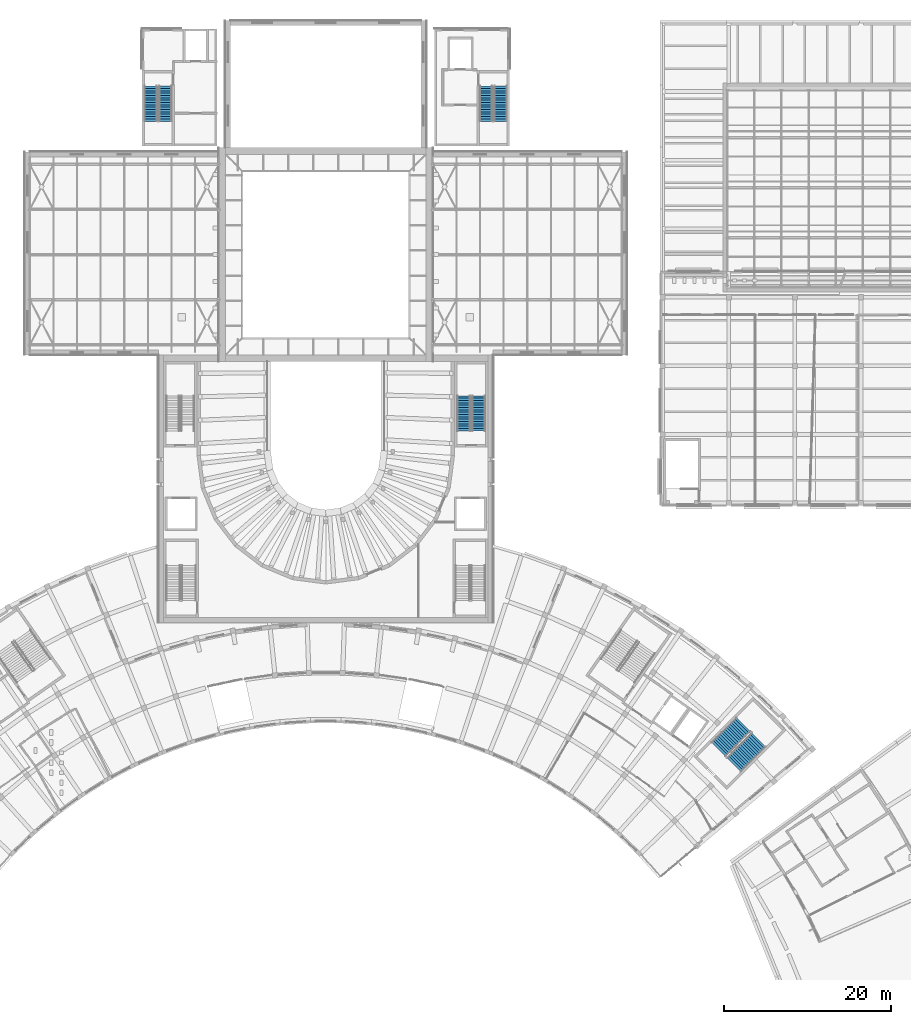
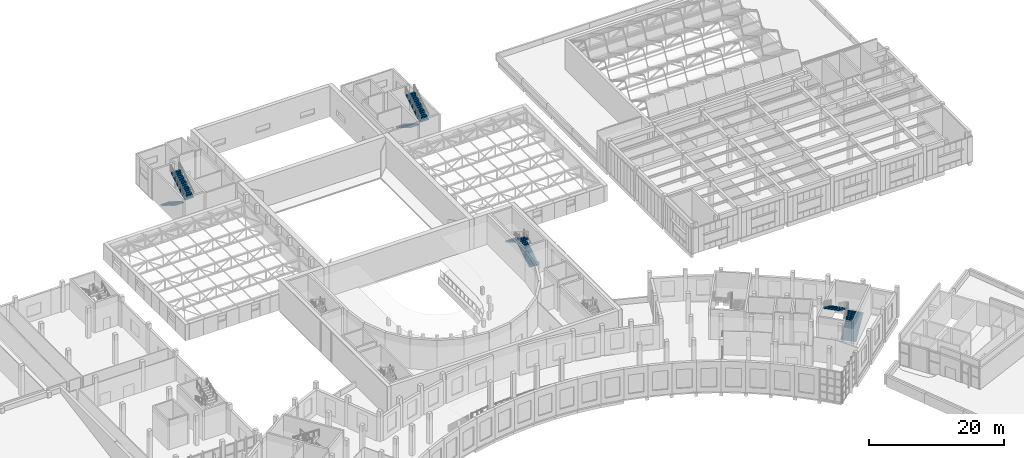
# One storey, part 84 of 132: 8 stair flights, 4 elements without a shape of their own.
"""IFC4 building model written with IfcOpenShell, lengths in metres."""

from ifc_helpers import new_model, si_unit, direction, frame, origin, place, context, subcontext, project, spatial, polyline, outline, extrude, material, type_object, element, aggregate, save


model = new_model("IFC4")

# Units and contexts
model_context = context("Model", 3, precision=1e-05, world=origin(), true_north=direction((0.0, 1.0)))
body_context = subcontext(model_context, "Body", "Model", "MODEL_VIEW")
ifc_project = project(units=[si_unit("LENGTHUNIT", "METRE"), si_unit("AREAUNIT", "SQUARE_METRE"), si_unit("VOLUMEUNIT", "CUBIC_METRE"), si_unit("PLANEANGLEUNIT", "RADIAN"), si_unit("MASSUNIT", "GRAM", prefix="KILO")], contexts=[model_context])

# Site, building, storey
site_placement = place(None, origin())
site = spatial("IfcSite", under=ifc_project, at=site_placement, CompositionType="ELEMENT")
building_placement = place(site_placement, origin())
building = spatial("IfcBuilding", under=site, at=building_placement, Name="Lunette Opera House", CompositionType="ELEMENT")
storey_placement = place(building_placement, frame((0.0, 0.0, 17.0)))
storey = spatial("IfcBuildingStorey", under=building, at=storey_placement, Name="L03", CompositionType="ELEMENT", Elevation=17.0)

# Stair, stair flights
ifc_material_1 = material(Name="Concrete C35/45", Category="concrete")
stair_type_1 = type_object("IfcStairType", Name="DOGLEG STAIR 1550", PredefinedType="HALF_TURN_STAIR", material=ifc_material_1)
stair_1_placement = place(storey_placement, origin())
stair_1 = element("IfcStair", 1, at=stair_1_placement, inside=storey, type_object=stair_type_1, Name="L03 stair ST11", PredefinedType="HALF_TURN_STAIR")
ifc_material_2 = material(Name="Concrete C35/45", Category="concrete")
stair_flight_type_1 = type_object("IfcStairFlightType", Name="STRAIGHT STAIR FLIGHT 1550", PredefinedType="STRAIGHT", material=ifc_material_2)
stair_flight_1_placement = place(storey_placement, frame((75.074951171875, 128.14990234375, 0.0), z_axis=(0.0, 0.0, 1.0), x_axis=(0.0, -1.0, 0.0)))
stair_flight_1 = element("IfcStairFlight", 2, at=stair_flight_1_placement, type_object=stair_flight_type_1, Name="ST11 flight 1", NumberOfRisers=16, NumberOfTreads=15, PredefinedType="STRAIGHT", RiserHeight=0.171875, TreadLength=0.28, context=body_context, shape_type="SweptSolid", body=[
    extrude(outline(polyline([(0.0, 0.0), (0.0, 0.171875), (0.280029296875, 0.171875), (0.280029296875, 0.34375), (0.56005859375, 0.34375), (0.56005859375, 0.515625), (0.840087890625, 0.515625), (0.840087890625, 0.6875), (1.1201171875, 0.6875), (1.1201171875, 0.859375), (1.39990234375, 0.859375), (1.39990234375, 1.03125), (1.679931640625, 1.03125), (1.679931640625, 1.203125), (1.9599609375, 1.203125), (1.9599609375, 1.375), (2.239990234375, 1.375), (2.239990234375, 1.546875), (2.52001953125, 1.546875), (2.52001953125, 1.71875), (2.800048828125, 1.71875), (2.800048828125, 1.890625), (3.080078125, 1.890625), (3.080078125, 2.0625), (3.360107421875, 2.0625), (3.360107421875, 2.234375), (3.639892578125, 2.234375), (3.639892578125, 2.40625), (3.919921875, 2.40625), (3.919921875, 2.578125), (4.199951171875, 2.578125), (4.199951171875, 2.75), (4.199951171875, 2.40234375), (0.28662109375, 0.0), (0.0, 0.0)])), frame((0.0, 0.77490234375, 0.0), z_axis=(0.0, -1.0, 0.0), x_axis=(1.0, 0.0, 0.0)), (0.0, 0.0, 1.0), 1.550048828125),
])
stair_flight_2_placement = place(storey_placement, frame((76.824951171875, 123.949951171875, 2.75), z_axis=(0.0, 0.0, 1.0), x_axis=(0.0, 1.0, 0.0)))
stair_flight_2 = element("IfcStairFlight", 3, at=stair_flight_2_placement, type_object=stair_flight_type_1, Name="ST11 flight 2", NumberOfRisers=16, NumberOfTreads=15, PredefinedType="STRAIGHT", RiserHeight=0.171875, TreadLength=0.28, context=body_context, shape_type="SweptSolid", body=[
    extrude(outline(polyline([(0.0, 0.0), (0.0, 0.171875), (0.280029296875, 0.171875), (0.280029296875, 0.34375), (0.56005859375, 0.34375), (0.56005859375, 0.515625), (0.840087890625, 0.515625), (0.840087890625, 0.6875), (1.1201171875, 0.6875), (1.1201171875, 0.859375), (1.39990234375, 0.859375), (1.39990234375, 1.03125), (1.679931640625, 1.03125), (1.679931640625, 1.203125), (1.9599609375, 1.203125), (1.9599609375, 1.375), (2.239990234375, 1.375), (2.239990234375, 1.546875), (2.52001953125, 1.546875), (2.52001953125, 1.71875), (2.800048828125, 1.71875), (2.800048828125, 1.890625), (3.080078125, 1.890625), (3.080078125, 2.0625), (3.360107421875, 2.0625), (3.360107421875, 2.234375), (3.639892578125, 2.234375), (3.639892578125, 2.40625), (3.919921875, 2.40625), (3.919921875, 2.578125), (4.199951171875, 2.578125), (4.199951171875, 2.75), (4.199951171875, 2.40234375), (0.28662109375, 0.0), (0.0, 0.0)])), frame((0.0, 0.77490234375, 0.0), z_axis=(0.0, -1.0, 0.0), x_axis=(1.0, 0.0, 0.0)), (0.0, 0.0, 1.0), 1.550048828125),
])
aggregate(stair_1, [stair_flight_1, stair_flight_2])

stair_2_placement = place(storey_placement, origin())
stair_2 = element("IfcStair", 4, at=stair_2_placement, inside=storey, type_object=stair_type_1, Name="L03 stair ST12", PredefinedType="HALF_TURN_STAIR")
stair_flight_3_placement = place(storey_placement, frame((115.175048828125, 128.14990234375, 0.0), z_axis=(0.0, 0.0, 1.0), x_axis=(0.0, -1.0, 0.0)))
stair_flight_3 = element("IfcStairFlight", 5, at=stair_flight_3_placement, type_object=stair_flight_type_1, Name="ST12 flight 1", NumberOfRisers=16, NumberOfTreads=15, PredefinedType="STRAIGHT", RiserHeight=0.171875, TreadLength=0.28, context=body_context, shape_type="SweptSolid", body=[
    extrude(outline(polyline([(0.0, 0.0), (0.0, 0.171875), (0.280029296875, 0.171875), (0.280029296875, 0.34375), (0.56005859375, 0.34375), (0.56005859375, 0.515625), (0.840087890625, 0.515625), (0.840087890625, 0.6875), (1.1201171875, 0.6875), (1.1201171875, 0.859375), (1.39990234375, 0.859375), (1.39990234375, 1.03125), (1.679931640625, 1.03125), (1.679931640625, 1.203125), (1.9599609375, 1.203125), (1.9599609375, 1.375), (2.239990234375, 1.375), (2.239990234375, 1.546875), (2.52001953125, 1.546875), (2.52001953125, 1.71875), (2.800048828125, 1.71875), (2.800048828125, 1.890625), (3.080078125, 1.890625), (3.080078125, 2.0625), (3.360107421875, 2.0625), (3.360107421875, 2.234375), (3.639892578125, 2.234375), (3.639892578125, 2.40625), (3.919921875, 2.40625), (3.919921875, 2.578125), (4.199951171875, 2.578125), (4.199951171875, 2.75), (4.199951171875, 2.40234375), (0.28662109375, 0.0), (0.0, 0.0)])), frame((0.0, 0.77490234375, 0.0), z_axis=(0.0, -1.0, 0.0), x_axis=(1.0, 0.0, 0.0)), (0.0, 0.0, 1.0), 1.550048828125),
])
stair_flight_4_placement = place(storey_placement, frame((116.925048828125, 123.949951171875, 2.75), z_axis=(0.0, 0.0, 1.0), x_axis=(0.0, 1.0, 0.0)))
stair_flight_4 = element("IfcStairFlight", 6, at=stair_flight_4_placement, type_object=stair_flight_type_1, Name="ST12 flight 2", NumberOfRisers=16, NumberOfTreads=15, PredefinedType="STRAIGHT", RiserHeight=0.171875, TreadLength=0.28, context=body_context, shape_type="SweptSolid", body=[
    extrude(outline(polyline([(0.0, 0.0), (0.0, 0.171875), (0.280029296875, 0.171875), (0.280029296875, 0.34375), (0.56005859375, 0.34375), (0.56005859375, 0.515625), (0.840087890625, 0.515625), (0.840087890625, 0.6875), (1.1201171875, 0.6875), (1.1201171875, 0.859375), (1.39990234375, 0.859375), (1.39990234375, 1.03125), (1.679931640625, 1.03125), (1.679931640625, 1.203125), (1.9599609375, 1.203125), (1.9599609375, 1.375), (2.239990234375, 1.375), (2.239990234375, 1.546875), (2.52001953125, 1.546875), (2.52001953125, 1.71875), (2.800048828125, 1.71875), (2.800048828125, 1.890625), (3.080078125, 1.890625), (3.080078125, 2.0625), (3.360107421875, 2.0625), (3.360107421875, 2.234375), (3.639892578125, 2.234375), (3.639892578125, 2.40625), (3.919921875, 2.40625), (3.919921875, 2.578125), (4.199951171875, 2.578125), (4.199951171875, 2.75), (4.199951171875, 2.40234375), (0.28662109375, 0.0), (0.0, 0.0)])), frame((0.0, 0.77490234375, 0.0), z_axis=(0.0, -1.0, 0.0), x_axis=(1.0, 0.0, 0.0)), (0.0, 0.0, 1.0), 1.550048828125),
])
aggregate(stair_2, [stair_flight_3, stair_flight_4])

ifc_material_3 = material(Name="Concrete C35/45", Category="concrete")
stair_type_2 = type_object("IfcStairType", Name="DOGLEG STAIR 1620", PredefinedType="HALF_TURN_STAIR", material=ifc_material_3)
stair_3_placement = place(storey_placement, origin())
stair_3 = element("IfcStair", 7, at=stair_3_placement, inside=storey, type_object=stair_type_2, Name="L03 stair ST9", PredefinedType="HALF_TURN_STAIR")
ifc_material_4 = material(Name="Concrete C35/45", Category="concrete")
stair_flight_type_2 = type_object("IfcStairFlightType", Name="STRAIGHT STAIR FLIGHT 1620", PredefinedType="STRAIGHT", material=ifc_material_4)
stair_flight_5_placement = place(storey_placement, frame((114.2900390625, 86.919921875, 0.0), z_axis=(0.0, 0.0, 1.0), x_axis=(0.0, 1.0, 0.0)))
stair_flight_5 = element("IfcStairFlight", 8, at=stair_flight_5_placement, type_object=stair_flight_type_2, Name="ST9 flight 1", NumberOfRisers=16, NumberOfTreads=15, PredefinedType="STRAIGHT", RiserHeight=0.171875, TreadLength=0.28, context=body_context, shape_type="SweptSolid", body=[
    extrude(outline(polyline([(0.0, 0.0), (0.0, 0.171875), (0.280029296875, 0.171875), (0.280029296875, 0.34375), (0.56005859375, 0.34375), (0.56005859375, 0.515625), (0.840087890625, 0.515625), (0.840087890625, 0.6875), (1.1201171875, 0.6875), (1.1201171875, 0.859375), (1.39990234375, 0.859375), (1.39990234375, 1.03125), (1.679931640625, 1.03125), (1.679931640625, 1.203125), (1.9599609375, 1.203125), (1.9599609375, 1.375), (2.239990234375, 1.375), (2.239990234375, 1.546875), (2.52001953125, 1.546875), (2.52001953125, 1.71875), (2.800048828125, 1.71875), (2.800048828125, 1.890625), (3.080078125, 1.890625), (3.080078125, 2.0625), (3.360107421875, 2.0625), (3.360107421875, 2.234375), (3.639892578125, 2.234375), (3.639892578125, 2.40625), (3.919921875, 2.40625), (3.919921875, 2.578125), (4.199951171875, 2.578125), (4.199951171875, 2.75), (4.199951171875, 2.40234375), (0.28662109375, 0.0), (0.0, 0.0)])), frame((0.0, 0.81005859375, 0.0), z_axis=(0.0, -1.0, 0.0), x_axis=(1.0, 0.0, 0.0)), (0.0, 0.0, 1.0), 1.6201171875),
])
stair_flight_6_placement = place(storey_placement, frame((112.510009765625, 91.1201171875, 2.75), z_axis=(0.0, 0.0, 1.0), x_axis=(0.0, -1.0, 0.0)))
stair_flight_6 = element("IfcStairFlight", 9, at=stair_flight_6_placement, type_object=stair_flight_type_2, Name="ST9 flight 2", NumberOfRisers=16, NumberOfTreads=15, PredefinedType="STRAIGHT", RiserHeight=0.171875, TreadLength=0.28, context=body_context, shape_type="SweptSolid", body=[
    extrude(outline(polyline([(0.0, 0.0), (0.0, 0.171875), (0.280029296875, 0.171875), (0.280029296875, 0.34375), (0.56005859375, 0.34375), (0.56005859375, 0.515625), (0.840087890625, 0.515625), (0.840087890625, 0.6875), (1.1201171875, 0.6875), (1.1201171875, 0.859375), (1.39990234375, 0.859375), (1.39990234375, 1.03125), (1.679931640625, 1.03125), (1.679931640625, 1.203125), (1.9599609375, 1.203125), (1.9599609375, 1.375), (2.239990234375, 1.375), (2.239990234375, 1.546875), (2.52001953125, 1.546875), (2.52001953125, 1.71875), (2.800048828125, 1.71875), (2.800048828125, 1.890625), (3.080078125, 1.890625), (3.080078125, 2.0625), (3.360107421875, 2.0625), (3.360107421875, 2.234375), (3.639892578125, 2.234375), (3.639892578125, 2.40625), (3.919921875, 2.40625), (3.919921875, 2.578125), (4.199951171875, 2.578125), (4.199951171875, 2.75), (4.199951171875, 2.40234375), (0.28662109375, 0.0), (0.0, 0.0)])), frame((0.0, 0.81005859375, 0.0), z_axis=(0.0, -1.0, 0.0), x_axis=(1.0, 0.0, 0.0)), (0.0, 0.0, 1.0), 1.6201171875),
])
aggregate(stair_3, [stair_flight_5, stair_flight_6])

ifc_material_5 = material(Name="Concrete C35/45", Category="concrete")
stair_type_3 = type_object("IfcStairType", Name="DOGLEG STAIR 2400", PredefinedType="HALF_TURN_STAIR", material=ifc_material_5)
stair_4_placement = place(storey_placement, origin())
stair_4 = element("IfcStair", 10, at=stair_4_placement, inside=storey, type_object=stair_type_3, Name="L03 stair ST4", PredefinedType="HALF_TURN_STAIR")
ifc_material_6 = material(Name="Concrete C35/45", Category="concrete")
stair_flight_type_3 = type_object("IfcStairFlightType", Name="STRAIGHT STAIR FLIGHT 2400", PredefinedType="STRAIGHT", material=ifc_material_6)
stair_flight_7_placement = place(storey_placement, frame((144.825439453125, 46.98681640625, 0.0), z_axis=(0.0, 0.0, 1.0), x_axis=(0.707106781187, 0.707106781187, 0.0)))
stair_flight_7 = element("IfcStairFlight", 11, at=stair_flight_7_placement, type_object=stair_flight_type_3, Name="ST4 flight 1", NumberOfRisers=16, NumberOfTreads=15, PredefinedType="STRAIGHT", RiserHeight=0.171875, TreadLength=0.28, context=body_context, shape_type="SweptSolid", body=[
    extrude(outline(polyline([(0.0, 0.0), (0.0, 0.171875), (0.280029296875, 0.171875), (0.280029296875, 0.34375), (0.56005859375, 0.34375), (0.56005859375, 0.515625), (0.840087890625, 0.515625), (0.840087890625, 0.6875), (1.1201171875, 0.6875), (1.1201171875, 0.859375), (1.39990234375, 0.859375), (1.39990234375, 1.03125), (1.679931640625, 1.03125), (1.679931640625, 1.203125), (1.9599609375, 1.203125), (1.9599609375, 1.375), (2.239990234375, 1.375), (2.239990234375, 1.546875), (2.52001953125, 1.546875), (2.52001953125, 1.71875), (2.800048828125, 1.71875), (2.800048828125, 1.890625), (3.080078125, 1.890625), (3.080078125, 2.0625), (3.360107421875, 2.0625), (3.360107421875, 2.234375), (3.639892578125, 2.234375), (3.639892578125, 2.40625), (3.919921875, 2.40625), (3.919921875, 2.578125), (4.199951171875, 2.578125), (4.199951171875, 2.75), (4.199951171875, 2.40234375), (0.28662109375, 0.0), (0.0, 0.0)])), frame((0.0, 1.199951171875, 0.0), z_axis=(0.0, -1.0, 0.0), x_axis=(1.0, 0.0, 0.0)), (0.0, 0.0, 1.0), 2.39990234375),
])
stair_flight_8_placement = place(storey_placement, frame((145.956787109375, 51.79541015625, 2.75), z_axis=(0.0, 0.0, 1.0), x_axis=(-0.707106781187, -0.707106781187, 0.0)))
stair_flight_8 = element("IfcStairFlight", 12, at=stair_flight_8_placement, type_object=stair_flight_type_3, Name="ST4 flight 2", NumberOfRisers=16, NumberOfTreads=15, PredefinedType="STRAIGHT", RiserHeight=0.171875, TreadLength=0.28, context=body_context, shape_type="SweptSolid", body=[
    extrude(outline(polyline([(0.0, 0.0), (0.0, 0.171875), (0.280029296875, 0.171875), (0.280029296875, 0.34375), (0.56005859375, 0.34375), (0.56005859375, 0.515625), (0.840087890625, 0.515625), (0.840087890625, 0.6875), (1.1201171875, 0.6875), (1.1201171875, 0.859375), (1.39990234375, 0.859375), (1.39990234375, 1.03125), (1.679931640625, 1.03125), (1.679931640625, 1.203125), (1.9599609375, 1.203125), (1.9599609375, 1.375), (2.239990234375, 1.375), (2.239990234375, 1.546875), (2.52001953125, 1.546875), (2.52001953125, 1.71875), (2.800048828125, 1.71875), (2.800048828125, 1.890625), (3.080078125, 1.890625), (3.080078125, 2.0625), (3.360107421875, 2.0625), (3.360107421875, 2.234375), (3.639892578125, 2.234375), (3.639892578125, 2.40625), (3.919921875, 2.40625), (3.919921875, 2.578125), (4.199951171875, 2.578125), (4.199951171875, 2.75), (4.199951171875, 2.40234375), (0.28662109375, 0.0), (0.0, 0.0)])), frame((0.0, 1.199951171875, 0.0), z_axis=(0.0, -1.0, 0.0), x_axis=(1.0, 0.0, 0.0)), (0.0, 0.0, 1.0), 2.39990234375),
])
aggregate(stair_4, [stair_flight_7, stair_flight_8])

save(model, "model.ifc")
